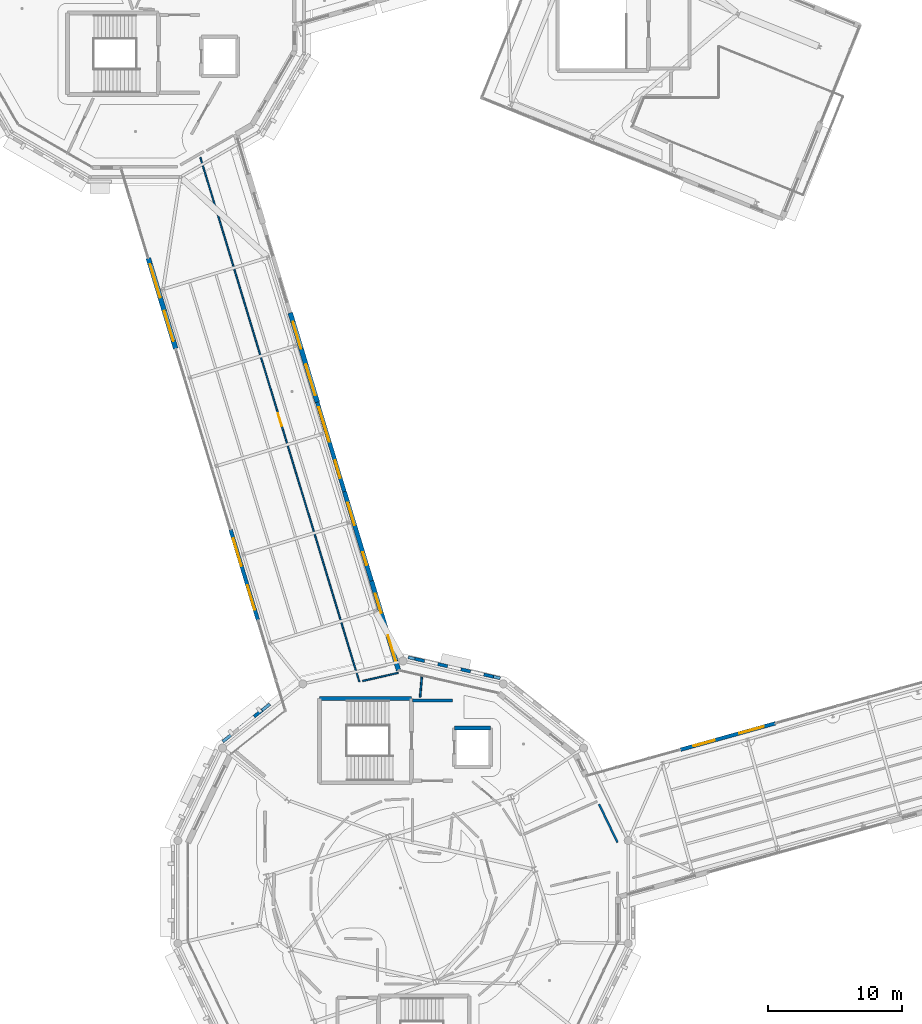
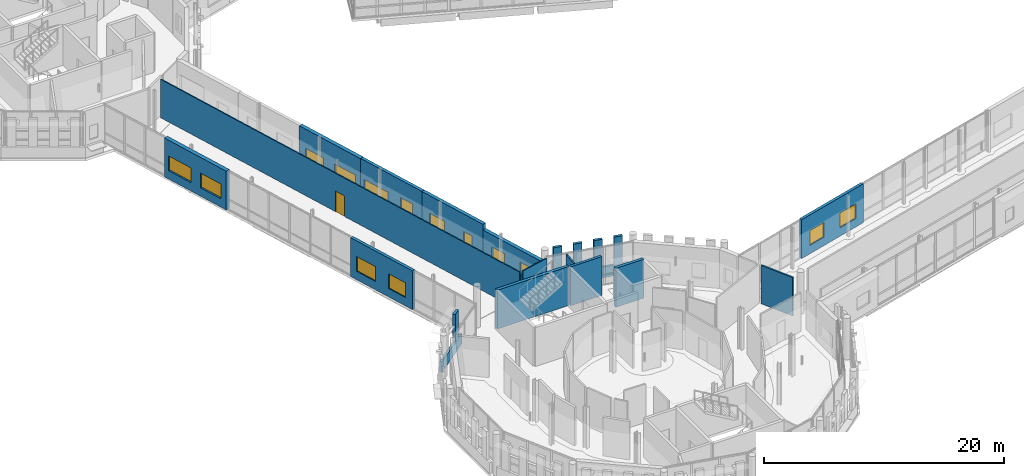
# One storey, part 89 of 125: 21 walls, 14 windows, 1 door, 15 openings.
"""IFC4 building model written with IfcOpenShell, lengths in metres."""

import ifcopenshell
import ifcopenshell.guid

model = None  # the IFC model being written
_history = None  # IfcOwnerHistory: only IFC2X3 demands one
_inside = {}  # id of a spatial element -> (the spatial element, [elements in it])
_under = {}  # id of a project, library or spatial element -> (it, [spatial elements below it])
_declared = {}  # id of a project -> (the project, [libraries it declares])
_typed = {}  # id of a type object -> (the type object, [elements of that type])
_made_of = {}  # id of a material, layer set ... -> (it, [elements and type objects made of it])


def new_model(schema):
    """Start an empty IFC model of exactly this schema.

    Asked for "IFC4X3", IfcOpenShell would pick the latest addendum, in which some entities
    have other attributes; the version numbers below select the first issue.
    IFC2X3 requires an IfcOwnerHistory on every rooted entity: one is made here for all.
    """
    global model, _history
    if schema == "IFC4X3":
        model = ifcopenshell.file(schema_version=(4, 3, 0, 0))
    else:
        model = ifcopenshell.file(schema=schema)
    _inside.clear()
    _under.clear()
    _declared.clear()
    _typed.clear()
    _made_of.clear()
    _history = None
    if model.schema == "IFC2X3":
        org = make("IfcOrganization", Name="unknown")
        user = make(
            "IfcPersonAndOrganization",
            ThePerson=make("IfcPerson", FamilyName="unknown"),
            TheOrganization=org,
        )
        app = make(
            "IfcApplication",
            ApplicationDeveloper=org,
            Version="unknown",
            ApplicationFullName="unknown",
            ApplicationIdentifier="unknown",
        )
        _history = make(
            "IfcOwnerHistory",
            OwningUser=user,
            OwningApplication=app,
            ChangeAction="ADDED",
            CreationDate=0,
        )
    return model


def make(cls, **values):
    """One entity of the class cls with the attributes given. An attribute that is None is left unset."""
    return model.create_entity(
        cls, **{name: value for name, value in values.items() if value is not None}
    )


def rooted(cls, **values):
    """An entity with a GlobalId (a new one), such as an element, a storey or a relation."""
    return make(cls, GlobalId=ifcopenshell.guid.new(), OwnerHistory=_history, **values)


def si_unit(unit_type, name, prefix=None):
    """IfcSIUnit, for example si_unit("LENGTHUNIT", "METRE", prefix="MILLI")."""
    return make("IfcSIUnit", UnitType=unit_type, Prefix=prefix, Name=name)


def assignment(units):
    """IfcUnitAssignment: the units of a project."""
    return None if units is None else make("IfcUnitAssignment", Units=units)


def point(xyz):
    """IfcCartesianPoint."""
    return None if xyz is None else make("IfcCartesianPoint", Coordinates=xyz)


def direction(xyz):
    """IfcDirection."""
    return None if xyz is None else make("IfcDirection", DirectionRatios=xyz)


def frame(location, z_axis=None, x_axis=None):
    """IfcAxis2Placement3D, a coordinate frame: its origin and axes. An axis left out is left unset."""
    return make(
        "IfcAxis2Placement3D",
        Location=point(location),
        Axis=direction(z_axis),
        RefDirection=direction(x_axis),
    )


def frame_2d(location, x_axis=None):
    """IfcAxis2Placement2D, a coordinate frame in the plane: its origin and x axis."""
    return make(
        "IfcAxis2Placement2D", Location=point(location), RefDirection=direction(x_axis)
    )


def origin():
    """The frame at (0, 0, 0) with its axes left unset."""
    return frame((0.0, 0.0, 0.0))


def place(relative_to, where):
    """IfcLocalPlacement: puts the frame where relative to a parent placement (None: the world)."""
    return make(
        "IfcLocalPlacement", PlacementRelTo=relative_to, RelativePlacement=where
    )


def context(
    kind, dimensions, precision=None, world=None, true_north=None, identifier=None
):
    """IfcGeometricRepresentationContext, for example the 3D "Model" context."""
    return make(
        "IfcGeometricRepresentationContext",
        ContextIdentifier=identifier,
        ContextType=kind,
        CoordinateSpaceDimension=dimensions,
        Precision=precision,
        WorldCoordinateSystem=world,
        TrueNorth=true_north,
    )


def subcontext(parent, identifier, kind, view, scale=None):
    """IfcGeometricRepresentationSubContext, for example "Body" below "Model"."""
    return make(
        "IfcGeometricRepresentationSubContext",
        ContextIdentifier=identifier,
        ContextType=kind,
        ParentContext=parent,
        TargetScale=scale,
        TargetView=view,
    )


def project(units=None, contexts=None):
    """IfcProject with its units and contexts."""
    return rooted(
        "IfcProject",
        Name="project",
        RepresentationContexts=contexts,
        UnitsInContext=assignment(units),
    )


def spatial(cls, under=None, at=None, **own):
    """A site, building, storey or space (cls), placed at a placement, below another one or the project."""
    s = rooted(cls, ObjectPlacement=at, **own)
    if under is not None:
        _under.setdefault(under.id(), (under, []))[1].append(s)
    return s


def profile(cls, at=None, kind="AREA", **sizes):
    """A parametric profile (cls). Its sizes go by their IFC names, for example OverallWidth=200.0."""
    return make(cls, ProfileType=kind, Position=at, **sizes)


def rectangle(**sizes):
    """IfcRectangleProfileDef."""
    return profile("IfcRectangleProfileDef", **sizes)


def extrude(swept, where, along, depth):
    """IfcExtrudedAreaSolid: the profile swept, set in the frame where, extruded along a direction by depth."""
    return make(
        "IfcExtrudedAreaSolid",
        SweptArea=swept,
        Position=where,
        ExtrudedDirection=direction(along),
        Depth=depth,
    )


def shape(context_of_items, identifier, shape_type, items):
    """IfcShapeRepresentation: the items that make up one representation, for example the "Body"."""
    return make(
        "IfcShapeRepresentation",
        ContextOfItems=context_of_items,
        RepresentationIdentifier=identifier,
        RepresentationType=shape_type,
        Items=items,
    )


def material(Name=None, Category=None):
    """IfcMaterial."""
    return make("IfcMaterial", Name=Name, Category=Category)


def layer(
    of_material, thickness, ventilated=None, Name=None, Category=None, Priority=None
):
    """IfcMaterialLayer: one layer of a wall or slab, of a material (None: an air gap)."""
    return make(
        "IfcMaterialLayer",
        Material=of_material,
        LayerThickness=thickness,
        IsVentilated=ventilated,
        Name=Name,
        Category=Category,
        Priority=Priority,
    )


def layer_set(layers, Name=None):
    """IfcMaterialLayerSet."""
    return make("IfcMaterialLayerSet", MaterialLayers=layers, LayerSetName=Name)


def made_of(thing, what):
    """Note that an element or type object is made of a material, layer set ...; save() writes the relation."""
    if what is not None:
        _made_of.setdefault(what.id(), (what, []))[1].append(thing)
    return thing


def type_object(cls, material=None, **own):
    """A type object (cls), such as IfcWallType, which elements share."""
    return made_of(rooted(cls, **own), material)


def element(
    cls,
    number,
    at=None,
    inside=None,
    cuts=None,
    type_object=None,
    material=None,
    context=None,
    identifier="Body",
    shape_type=None,
    held_by="IfcProductDefinitionShape",
    body=None,
    shapes=None,
    **own,
):
    """One element of the class cls, such as IfcWall. Its Tag is "e" and its number.

    at: its placement. inside: the storey or other place that contains it. cuts: it is an
    opening in that element (IfcRelVoidsElement). A single representation is given by context,
    identifier, shape_type and body (its items); several are given by shapes. held_by: the class
    of the entity that holds the representations. save() writes the other relations.
    """
    e = rooted(cls, Tag="e%d" % number, ObjectPlacement=at, **own)
    if body is not None:
        shapes = [shape(context, identifier, shape_type, body)]
    if shapes is not None:
        e.Representation = make(held_by, Representations=shapes)
    if inside is not None:
        _inside.setdefault(inside.id(), (inside, []))[1].append(e)
    if cuts is not None:
        rooted(
            "IfcRelVoidsElement", RelatingBuildingElement=cuts, RelatedOpeningElement=e
        )
    if type_object is not None:
        _typed.setdefault(type_object.id(), (type_object, []))[1].append(e)
    return made_of(e, material)


def fill(opening, filler):
    """IfcRelFillsElement: the door or window that sits in an opening."""
    return rooted(
        "IfcRelFillsElement",
        RelatingOpeningElement=opening,
        RelatedBuildingElement=filler,
    )


def aggregate(whole, parts):
    """IfcRelAggregates: a whole, such as a stair, and the parts it consists of."""
    return rooted("IfcRelAggregates", RelatingObject=whole, RelatedObjects=parts)


def save(model, path):
    """Write the relations noted so far, then the file.

    IfcRelAggregates (storeys below a building ...), IfcRelContainedInSpatialStructure (elements
    in a storey), IfcRelDefinesByType, IfcRelAssociatesMaterial and IfcRelDeclares: one each for
    every whole, place, type object, material and project.
    """
    for whole, parts in _under.values():
        aggregate(whole, parts)
    for where, things in _inside.values():
        rooted(
            "IfcRelContainedInSpatialStructure",
            RelatedElements=things,
            RelatingStructure=where,
        )
    for kind, things in _typed.values():
        rooted("IfcRelDefinesByType", RelatedObjects=things, RelatingType=kind)
    for what, things in _made_of.values():
        rooted("IfcRelAssociatesMaterial", RelatedObjects=things, RelatingMaterial=what)
    for by, libraries in _declared.values():
        rooted("IfcRelDeclares", RelatingContext=by, RelatedDefinitions=libraries)
    model.write(path)


model = new_model("IFC4")

# Units and contexts
model_context = context("Model", 3, precision=1e-05, world=origin(), true_north=direction((0.0, 1.0)))
body_context = subcontext(model_context, "Body", "Model", "MODEL_VIEW")
ifc_project = project(units=[si_unit("LENGTHUNIT", "METRE"), si_unit("AREAUNIT", "SQUARE_METRE"), si_unit("VOLUMEUNIT", "CUBIC_METRE"), si_unit("PLANEANGLEUNIT", "RADIAN"), si_unit("MASSUNIT", "GRAM", prefix="KILO")], contexts=[model_context])

# Site, building, storey
site_placement = place(None, origin())
site = spatial("IfcSite", under=ifc_project, at=site_placement, CompositionType="ELEMENT")
building_placement = place(site_placement, origin())
building = spatial("IfcBuilding", under=site, at=building_placement, Name="Wrenclough Park School", CompositionType="ELEMENT")
storey_placement = place(building_placement, frame((0.0, 0.0, 4.199951171875)))
storey = spatial("IfcBuildingStorey", under=building, at=storey_placement, Name="L01", CompositionType="ELEMENT", Elevation=4.199951171875)

# Walls
ifc_material_1 = material(Name="Perforated open-bond Staffordshire and Manchester brick screen pier", Category="masonry")
ifc_layer_1 = layer(ifc_material_1, 0.2451171875)
ifc_layer_set_1 = layer_set([ifc_layer_1], Name="Perforated open-bond Staffordshire and Manchester brick screen pier")
wall_type_1 = type_object("IfcWallType", Name="ENV-BS-PR245", PredefinedType="ELEMENTEDWALL", material=ifc_layer_set_1)
wall_1_placement = place(storey_placement, frame((43.258056640625, 39.572998046875, 1.090087890625), z_axis=(0.0, 0.0, 1.0), x_axis=(-0.974960788757, 0.222376843189, 0.0)))
element("IfcWall", 1, at=wall_1_placement, inside=storey, type_object=wall_type_1, Name="D2 L01 perforated brick screen pier 0237", PredefinedType="ELEMENTEDWALL", context=body_context, shape_type="SweptSolid", body=[
    extrude(rectangle(XDim=0.739990234375, YDim=0.2451171875, at=frame_2d((0.3701171875, 0.0))), origin(), (0.0, 0.0, 1.0), 2.849853515625),
])
wall_2_placement = place(storey_placement, frame((41.540771484375, 39.96484375, 1.090087890625), z_axis=(0.0, 0.0, 1.0), x_axis=(-0.974977096703, 0.222305332604, 0.0)))
element("IfcWall", 2, at=wall_2_placement, inside=storey, type_object=wall_type_1, Name="D2 L01 perforated brick screen pier 0238", PredefinedType="ELEMENTEDWALL", context=body_context, shape_type="SweptSolid", body=[
    extrude(rectangle(XDim=0.740234375, YDim=0.2451171875, at=frame_2d((0.3701171875, 0.0))), origin(), (0.0, 0.0, 1.0), 2.849853515625),
])
wall_3_placement = place(storey_placement, frame((39.8232421875, 40.35693359375, 1.090087890625), z_axis=(0.0, 0.0, 1.0), x_axis=(-0.974960788757, 0.222376843189, 0.0)))
element("IfcWall", 3, at=wall_3_placement, inside=storey, type_object=wall_type_1, Name="D2 L01 perforated brick screen pier 0239", PredefinedType="ELEMENTEDWALL", context=body_context, shape_type="SweptSolid", body=[
    extrude(rectangle(XDim=0.739990234375, YDim=0.2451171875, at=frame_2d((0.3701171875, 0.0))), origin(), (0.0, 0.0, 1.0), 2.849853515625),
])
wall_4_placement = place(storey_placement, frame((38.105712890625, 40.748779296875, 1.090087890625), z_axis=(0.0, 0.0, 1.0), x_axis=(-0.974872842026, 0.2227620746, 0.0)))
element("IfcWall", 4, at=wall_4_placement, inside=storey, type_object=wall_type_1, Name="D2 L01 perforated brick screen pier 0240", PredefinedType="ELEMENTEDWALL", context=body_context, shape_type="SweptSolid", body=[
    extrude(rectangle(XDim=0.73974609375, YDim=0.2451171875, at=frame_2d((0.369873046875, 0.0))), origin(), (0.0, 0.0, 1.0), 2.849853515625),
])
wall_5_placement = place(storey_placement, frame((25.970947265625, 37.069580078125, 1.090087890625), z_axis=(0.0, 0.0, 1.0), x_axis=(-0.781839347248, -0.623479939609, 0.0)))
element("IfcWall", 5, at=wall_5_placement, inside=storey, type_object=wall_type_1, Name="D2 L01 perforated brick screen pier 0241", PredefinedType="ELEMENTEDWALL", context=body_context, shape_type="SweptSolid", body=[
    extrude(rectangle(XDim=0.760009765625, YDim=0.2451171875, at=frame_2d((0.3798828125, 0.0))), origin(), (0.0, 0.0, 1.0), 2.849853515625),
])
ifc_material_2 = material(Name="Open-bond Manchester multi-stock brick spandrel screen", Category="masonry")
ifc_layer_2 = layer(ifc_material_2, 0.22509765625)
ifc_layer_set_2 = layer_set([ifc_layer_2], Name="Open-bond Manchester multi-stock brick spandrel screen")
wall_type_2 = type_object("IfcWallType", Name="ENV-BS-SP225", PredefinedType="ELEMENTEDWALL", material=ifc_layer_set_2)
wall_6_placement = place(storey_placement, frame((43.756103515625, 39.459228515625, 0.0), z_axis=(0.0, 0.0, 1.0), x_axis=(-0.974930278984, 0.222510564064, 0.0)))
element("IfcWall", 6, at=wall_6_placement, inside=storey, type_object=wall_type_2, Name="D2 L01 open-bond brick screen spandrel 0064", PredefinedType="ELEMENTEDWALL", context=body_context, shape_type="SweptSolid", body=[
    extrude(rectangle(XDim=7.04638671875, YDim=0.22509765625, at=frame_2d((3.523193359375, 0.0))), origin(), (0.0, 0.0, 1.0), 1.090087890625),
])
wall_7_placement = place(storey_placement, frame((26.552734375, 37.533447265625, 0.0), z_axis=(0.0, 0.0, 1.0), x_axis=(-0.78184780695, -0.623469331056, 0.0)))
element("IfcWall", 7, at=wall_7_placement, inside=storey, type_object=wall_type_2, Name="D2 L01 open-bond brick screen spandrel 0065", PredefinedType="ELEMENTEDWALL", context=body_context, shape_type="SweptSolid", body=[
    extrude(rectangle(XDim=4.49658203125, YDim=0.22509765625, at=frame_2d((2.248291015625, 0.0))), origin(), (0.0, 0.0, 1.0), 1.090087890625),
])

# Wall, openings, windows
ifc_material_3 = material(Name="Link wing brick-faced cavity wall Concrete C32/40", Category="masonry")
ifc_layer_3 = layer(ifc_material_3, 0.27490234375)
ifc_layer_set_3 = layer_set([ifc_layer_3], Name="Link wing brick-faced cavity wall Concrete C32/40")
wall_type_3 = type_object("IfcWallType", Name="ENV-EW-275", PredefinedType="SOLIDWALL", material=ifc_layer_set_3)
wall_8_placement = place(storey_placement, frame((25.66748046875, 43.7998046875, 0.0), z_axis=(0.0, 0.0, 1.0), x_axis=(-0.290036178649, 0.957015681729, 0.0)))
wall_8 = element("IfcWall", 8, at=wall_8_placement, inside=storey, type_object=wall_type_3, Name="L01 insulated brick external wall 0078", PredefinedType="SOLIDWALL", context=body_context, shape_type="SweptSolid", body=[
    extrude(rectangle(XDim=7.062255859375, YDim=0.27490234375, at=frame_2d((3.53125, 0.0))), origin(), (0.0, 0.0, 1.0), 3.93994140625),
])
opening_1_placement = place(wall_8_placement, frame((0.815673828125, 0.0, 0.85009765625)))
opening_1 = element("IfcOpeningElement", 9, at=opening_1_placement, cuts=wall_8, Name="Opening WN-53", PredefinedType="OPENING", context=body_context, shape_type="SweptSolid", body=[
    extrude(rectangle(XDim=1.89990234375, YDim=1.5, at=frame_2d((0.949951171875, 0.75))), frame((0.0, 0.1474609375, 0.0), z_axis=(0.0, -1.0, 0.0), x_axis=(1.0, 0.0, 0.0)), (0.0, 0.0, 1.0), 0.294921875),
])
opening_2_placement = place(wall_8_placement, frame((4.2216796875, 0.0, 0.85009765625)))
opening_2 = element("IfcOpeningElement", 10, at=opening_2_placement, cuts=wall_8, Name="Opening WN-54", PredefinedType="OPENING", context=body_context, shape_type="SweptSolid", body=[
    extrude(rectangle(XDim=2.14990234375, YDim=1.5, at=frame_2d((1.074951171875, 0.75))), frame((0.0, 0.1474609375, 0.0), z_axis=(0.0, -1.0, 0.0), x_axis=(1.0, 0.0, 0.0)), (0.0, 0.0, 1.0), 0.294921875),
])
ifc_material_4 = material(Name="Thermally broken aluminium and double-glazed low-e glass", Category="aluminium")
window_type_1 = type_object("IfcWindowType", Name="ENV-WN-53", PartitioningType="DOUBLE_PANEL_VERTICAL", PredefinedType="WINDOW", material=ifc_material_4)
window_1_placement = place(opening_1_placement, origin())
window_1 = element("IfcWindow", 11, at=window_1_placement, inside=storey, type_object=window_type_1, Name="L01 scheduled facade window 0108", OverallHeight=1.5, OverallWidth=1.89990234375, PartitioningType="SINGLE_PANEL", PredefinedType="WINDOW", context=body_context, shape_type="SweptSolid", body=[
    extrude(rectangle(XDim=1.89990234375, YDim=1.5, at=frame_2d((0.949951171875, 0.75))), frame((0.0, 0.030029296875, 0.0), z_axis=(0.0, -1.0, 0.0), x_axis=(1.0, 0.0, 0.0)), (0.0, 0.0, 1.0), 0.06005859375),
])
fill(opening_1, window_1)
window_type_2 = type_object("IfcWindowType", Name="ENV-WN-54", PartitioningType="DOUBLE_PANEL_VERTICAL", PredefinedType="WINDOW", material=ifc_material_4)
window_2_placement = place(opening_2_placement, origin())
window_2 = element("IfcWindow", 12, at=window_2_placement, inside=storey, type_object=window_type_2, Name="L01 scheduled facade window 0109", OverallHeight=1.5, OverallWidth=2.14990234375, PartitioningType="SINGLE_PANEL", PredefinedType="WINDOW", context=body_context, shape_type="SweptSolid", body=[
    extrude(rectangle(XDim=2.14990234375, YDim=1.5, at=frame_2d((1.074951171875, 0.75))), frame((0.0, 0.030029296875, 0.0), z_axis=(0.0, -1.0, 0.0), x_axis=(1.0, 0.0, 0.0)), (0.0, 0.0, 1.0), 0.06005859375),
])
fill(opening_2, window_2)

wall_9_placement = place(storey_placement, frame((57.228515625, 34.125732421875, 0.0), z_axis=(0.0, 0.0, 1.0), x_axis=(0.963398166704, 0.268074564985, 0.0)))
wall_9 = element("IfcWall", 13, at=wall_9_placement, inside=storey, type_object=wall_type_3, Name="L01 insulated brick external wall 0110", PredefinedType="SOLIDWALL", context=body_context, shape_type="SweptSolid", body=[
    extrude(rectangle(XDim=7.337646484375, YDim=0.27490234375, at=frame_2d((3.6689453125, 0.0))), origin(), (0.0, 0.0, 1.0), 3.93994140625),
])
opening_3_placement = place(wall_9_placement, frame((1.009521484375, 0.0, 0.85009765625)))
opening_3 = element("IfcOpeningElement", 14, at=opening_3_placement, cuts=wall_9, Name="Opening WN-52", PredefinedType="OPENING", context=body_context, shape_type="SweptSolid", body=[
    extrude(rectangle(XDim=1.64990234375, YDim=1.5, at=frame_2d((0.824951171875, 0.75))), frame((0.0, 0.1474609375, 0.0), z_axis=(0.0, -1.0, 0.0), x_axis=(1.0, 0.0, 0.0)), (0.0, 0.0, 1.0), 0.294921875),
])
opening_4_placement = place(wall_9_placement, frame((4.55322265625, 0.0, 0.85009765625)))
opening_4 = element("IfcOpeningElement", 15, at=opening_4_placement, cuts=wall_9, Name="Opening WN-53", PredefinedType="OPENING", context=body_context, shape_type="SweptSolid", body=[
    extrude(rectangle(XDim=1.89990234375, YDim=1.5, at=frame_2d((0.949951171875, 0.75))), frame((0.0, 0.1474609375, 0.0), z_axis=(0.0, -1.0, 0.0), x_axis=(1.0, 0.0, 0.0)), (0.0, 0.0, 1.0), 0.294921875),
])
window_type_3 = type_object("IfcWindowType", Name="ENV-WN-52", PartitioningType="DOUBLE_PANEL_VERTICAL", PredefinedType="WINDOW", material=ifc_material_4)
window_3_placement = place(opening_3_placement, origin())
window_3 = element("IfcWindow", 16, at=window_3_placement, inside=storey, type_object=window_type_3, Name="L01 scheduled facade window 0163", OverallHeight=1.5, OverallWidth=1.64990234375, PartitioningType="SINGLE_PANEL", PredefinedType="WINDOW", context=body_context, shape_type="SweptSolid", body=[
    extrude(rectangle(XDim=1.64990234375, YDim=1.5, at=frame_2d((0.824951171875, 0.75))), frame((0.0, 0.030029296875, 0.0), z_axis=(0.0, -1.0, 0.0), x_axis=(1.0, 0.0, 0.0)), (0.0, 0.0, 1.0), 0.06005859375),
])
fill(opening_3, window_3)
window_4_placement = place(opening_4_placement, origin())
window_4 = element("IfcWindow", 17, at=window_4_placement, inside=storey, type_object=window_type_1, Name="L01 scheduled facade window 0164", OverallHeight=1.5, OverallWidth=1.89990234375, PartitioningType="SINGLE_PANEL", PredefinedType="WINDOW", context=body_context, shape_type="SweptSolid", body=[
    extrude(rectangle(XDim=1.89990234375, YDim=1.5, at=frame_2d((0.949951171875, 0.75))), frame((0.0, 0.030029296875, 0.0), z_axis=(0.0, -1.0, 0.0), x_axis=(1.0, 0.0, 0.0)), (0.0, 0.0, 1.0), 0.06005859375),
])
fill(opening_4, window_4)

ifc_material_5 = material(Name="Manchester multi-stock brick and Concrete C32/40 inner leaf", Category="masonry")
ifc_layer_4 = layer(ifc_material_5, 0.300048828125)
ifc_layer_set_4 = layer_set([ifc_layer_4], Name="Manchester multi-stock brick and Concrete C32/40 inner leaf")
wall_type_4 = type_object("IfcWallType", Name="ENV-EW-300", PredefinedType="SOLIDWALL", material=ifc_layer_set_4)
wall_10_placement = place(storey_placement, frame((30.097412109375, 60.076416015625, 0.0), z_axis=(0.0, 0.0, 1.0), x_axis=(0.289999622439, -0.957026759806, 0.0)))
wall_10 = element("IfcWall", 18, at=wall_10_placement, inside=storey, type_object=wall_type_4, Name="L01 insulated brick external wall 0136", PredefinedType="SOLIDWALL", context=body_context, shape_type="SweptSolid", body=[
    extrude(rectangle(XDim=6.97412109375, YDim=0.300048828125, at=frame_2d((3.487060546875, 0.0))), origin(), (0.0, 0.0, 1.0), 3.93994140625),
])
opening_5_placement = place(wall_10_placement, frame((0.3935546875, 0.0, 0.85009765625)))
opening_5 = element("IfcOpeningElement", 19, at=opening_5_placement, cuts=wall_10, Name="Opening WN-42", PredefinedType="OPENING", context=body_context, shape_type="SweptSolid", body=[
    extrude(rectangle(XDim=2.699951171875, YDim=1.14990234375, at=frame_2d((1.35009765625, 0.574951171875))), frame((0.0, 0.159912109375, 0.0), z_axis=(0.0, -1.0, 0.0), x_axis=(1.0, 0.0, 0.0)), (0.0, 0.0, 1.0), 0.320068359375),
])
opening_6_placement = place(wall_10_placement, frame((4.555419921875, 0.0, 0.85009765625)))
opening_6 = element("IfcOpeningElement", 20, at=opening_6_placement, cuts=wall_10, Name="Opening WN-43", PredefinedType="OPENING", context=body_context, shape_type="SweptSolid", body=[
    extrude(rectangle(XDim=1.35009765625, YDim=1.300048828125, at=frame_2d((0.675048828125, 0.64990234375))), frame((0.0, 0.159912109375, 0.0), z_axis=(0.0, -1.0, 0.0), x_axis=(1.0, 0.0, 0.0)), (0.0, 0.0, 1.0), 0.320068359375),
])
window_type_4 = type_object("IfcWindowType", Name="ENV-WN-42", PartitioningType="DOUBLE_PANEL_VERTICAL", PredefinedType="WINDOW", material=ifc_material_4)
window_5_placement = place(opening_5_placement, origin())
window_5 = element("IfcWindow", 21, at=window_5_placement, inside=storey, type_object=window_type_4, Name="L01 scheduled facade window 0209", OverallHeight=1.14990234375, OverallWidth=2.699951171875, PartitioningType="SINGLE_PANEL", PredefinedType="WINDOW", context=body_context, shape_type="SweptSolid", body=[
    extrude(rectangle(XDim=2.699951171875, YDim=1.14990234375, at=frame_2d((1.35009765625, 0.574951171875))), frame((0.0, 0.030029296875, 0.0), z_axis=(0.0, -1.0, 0.0), x_axis=(1.0, 0.0, 0.0)), (0.0, 0.0, 1.0), 0.06005859375),
])
fill(opening_5, window_5)
window_type_5 = type_object("IfcWindowType", Name="ENV-WN-43", PartitioningType="SINGLE_PANEL", PredefinedType="WINDOW", material=ifc_material_4)
window_6_placement = place(opening_6_placement, origin())
window_6 = element("IfcWindow", 22, at=window_6_placement, inside=storey, type_object=window_type_5, Name="L01 scheduled facade window 0210", OverallHeight=1.300048828125, OverallWidth=1.35009765625, PartitioningType="SINGLE_PANEL", PredefinedType="WINDOW", context=body_context, shape_type="SweptSolid", body=[
    extrude(rectangle(XDim=1.35009765625, YDim=1.300048828125, at=frame_2d((0.675048828125, 0.64990234375))), frame((0.0, 0.030029296875, 0.0), z_axis=(0.0, -1.0, 0.0), x_axis=(1.0, 0.0, 0.0)), (0.0, 0.0, 1.0), 0.06005859375),
])
fill(opening_6, window_6)

ifc_layer_5 = layer(ifc_material_5, 0.324951171875)
ifc_layer_set_5 = layer_set([ifc_layer_5], Name="Manchester multi-stock brick and Concrete C32/40 inner leaf")
wall_type_5 = type_object("IfcWallType", Name="ENV-EW-325", PredefinedType="SOLIDWALL", material=ifc_layer_set_5)
wall_11_placement = place(storey_placement, frame((32.119873046875, 53.402099609375, 0.0), z_axis=(0.0, 0.0, 1.0), x_axis=(0.29003168505, -0.957017043561, 0.0)))
wall_11 = element("IfcWall", 23, at=wall_11_placement, inside=storey, type_object=wall_type_5, Name="L01 insulated brick external wall 0137", PredefinedType="SOLIDWALL", context=body_context, shape_type="SweptSolid", body=[
    extrude(rectangle(XDim=6.97412109375, YDim=0.324951171875, at=frame_2d((3.487060546875, 0.0))), origin(), (0.0, 0.0, 1.0), 3.93994140625),
])
opening_7_placement = place(wall_11_placement, frame((0.868408203125, 0.0, 0.85009765625)))
opening_7 = element("IfcOpeningElement", 24, at=opening_7_placement, cuts=wall_11, Name="Opening WN-44", PredefinedType="OPENING", context=body_context, shape_type="SweptSolid", body=[
    extrude(rectangle(XDim=1.75, YDim=1.300048828125, at=frame_2d((0.875, 0.64990234375))), frame((0.0, 0.17236328125, 0.0), z_axis=(0.0, -1.0, 0.0), x_axis=(1.0, 0.0, 0.0)), (0.0, 0.0, 1.0), 0.344970703125),
])
opening_8_placement = place(wall_11_placement, frame((4.730712890625, 0.0, 0.85009765625)))
opening_8 = element("IfcOpeningElement", 25, at=opening_8_placement, cuts=wall_11, Name="Opening WN-45", PredefinedType="OPENING", context=body_context, shape_type="SweptSolid", body=[
    extrude(rectangle(XDim=1.0, YDim=1.300048828125, at=frame_2d((0.5, 0.64990234375))), frame((0.0, 0.17236328125, 0.0), z_axis=(0.0, -1.0, 0.0), x_axis=(1.0, 0.0, 0.0)), (0.0, 0.0, 1.0), 0.344970703125),
])
window_type_6 = type_object("IfcWindowType", Name="ENV-WN-44", PartitioningType="DOUBLE_PANEL_VERTICAL", PredefinedType="WINDOW", material=ifc_material_4)
window_7_placement = place(opening_7_placement, origin())
window_7 = element("IfcWindow", 26, at=window_7_placement, inside=storey, type_object=window_type_6, Name="L01 scheduled facade window 0211", OverallHeight=1.300048828125, OverallWidth=1.75, PartitioningType="SINGLE_PANEL", PredefinedType="WINDOW", context=body_context, shape_type="SweptSolid", body=[
    extrude(rectangle(XDim=1.75, YDim=1.300048828125, at=frame_2d((0.875, 0.64990234375))), frame((0.0, 0.030029296875, 0.0), z_axis=(0.0, -1.0, 0.0), x_axis=(1.0, 0.0, 0.0)), (0.0, 0.0, 1.0), 0.06005859375),
])
fill(opening_7, window_7)
window_type_7 = type_object("IfcWindowType", Name="ENV-WN-45", PartitioningType="SINGLE_PANEL", PredefinedType="WINDOW", material=ifc_material_4)
window_8_placement = place(opening_8_placement, origin())
window_8 = element("IfcWindow", 27, at=window_8_placement, inside=storey, type_object=window_type_7, Name="L01 scheduled facade window 0212", OverallHeight=1.300048828125, OverallWidth=1.0, PartitioningType="SINGLE_PANEL", PredefinedType="WINDOW", context=body_context, shape_type="SweptSolid", body=[
    extrude(rectangle(XDim=1.0, YDim=1.300048828125, at=frame_2d((0.5, 0.64990234375))), frame((0.0, 0.030029296875, 0.0), z_axis=(0.0, -1.0, 0.0), x_axis=(1.0, 0.0, 0.0)), (0.0, 0.0, 1.0), 0.06005859375),
])
fill(opening_8, window_8)

ifc_material_6 = material(Name="Staffordshire blue-grey brick and Concrete C35/45 inner leaf", Category="masonry")
ifc_layer_6 = layer(ifc_material_6, 0.35009765625)
ifc_layer_set_6 = layer_set([ifc_layer_6], Name="Staffordshire blue-grey brick and Concrete C35/45 inner leaf")
wall_type_6 = type_object("IfcWallType", Name="ENV-EW-350", PredefinedType="SOLIDWALL", material=ifc_layer_set_6)
wall_12_placement = place(storey_placement, frame((34.142578125, 46.727783203125, 0.0), z_axis=(0.0, 0.0, 1.0), x_axis=(0.289999622439, -0.957026759806, 0.0)))
wall_12 = element("IfcWall", 28, at=wall_12_placement, inside=storey, type_object=wall_type_6, Name="L01 insulated brick external wall 0138", PredefinedType="SOLIDWALL", context=body_context, shape_type="SweptSolid", body=[
    extrude(rectangle(XDim=6.97412109375, YDim=0.35009765625, at=frame_2d((3.487060546875, 0.0))), origin(), (0.0, 0.0, 1.0), 3.368896484375),
])
opening_9_placement = place(wall_12_placement, frame((0.993408203125, 0.0, 0.85009765625)))
opening_9 = element("IfcOpeningElement", 29, at=opening_9_placement, cuts=wall_12, Name="Opening WN-46", PredefinedType="OPENING", context=body_context, shape_type="SweptSolid", body=[
    extrude(rectangle(XDim=1.5, YDim=1.300048828125, at=frame_2d((0.75, 0.64990234375))), frame((0.0, 0.18505859375, 0.0), z_axis=(0.0, -1.0, 0.0), x_axis=(1.0, 0.0, 0.0)), (0.0, 0.0, 1.0), 0.3701171875),
])
opening_10_placement = place(wall_12_placement, frame((4.230712890625, 0.0, 0.85009765625)))
opening_10 = element("IfcOpeningElement", 30, at=opening_10_placement, cuts=wall_12, Name="Opening WN-47", PredefinedType="OPENING", context=body_context, shape_type="SweptSolid", body=[
    extrude(rectangle(XDim=2.0, YDim=1.300048828125, at=frame_2d((1.0, 0.64990234375))), frame((0.0, 0.18505859375, 0.0), z_axis=(0.0, -1.0, 0.0), x_axis=(1.0, 0.0, 0.0)), (0.0, 0.0, 1.0), 0.3701171875),
])
window_type_8 = type_object("IfcWindowType", Name="ENV-WN-46", PartitioningType="DOUBLE_PANEL_VERTICAL", PredefinedType="WINDOW", material=ifc_material_4)
window_9_placement = place(opening_9_placement, origin())
window_9 = element("IfcWindow", 31, at=window_9_placement, inside=storey, type_object=window_type_8, Name="L01 scheduled facade window 0213", OverallHeight=1.300048828125, OverallWidth=1.5, PartitioningType="SINGLE_PANEL", PredefinedType="WINDOW", context=body_context, shape_type="SweptSolid", body=[
    extrude(rectangle(XDim=1.5, YDim=1.300048828125, at=frame_2d((0.75, 0.64990234375))), frame((0.0, 0.030029296875, 0.0), z_axis=(0.0, -1.0, 0.0), x_axis=(1.0, 0.0, 0.0)), (0.0, 0.0, 1.0), 0.06005859375),
])
fill(opening_9, window_9)
window_type_9 = type_object("IfcWindowType", Name="ENV-WN-47", PartitioningType="DOUBLE_PANEL_VERTICAL", PredefinedType="WINDOW", material=ifc_material_4)
window_10_placement = place(opening_10_placement, origin())
window_10 = element("IfcWindow", 32, at=window_10_placement, inside=storey, type_object=window_type_9, Name="L01 scheduled facade window 0214", OverallHeight=1.300048828125, OverallWidth=2.0, PartitioningType="SINGLE_PANEL", PredefinedType="WINDOW", context=body_context, shape_type="SweptSolid", body=[
    extrude(rectangle(XDim=2.0, YDim=1.300048828125, at=frame_2d((1.0, 0.64990234375))), frame((0.0, 0.030029296875, 0.0), z_axis=(0.0, -1.0, 0.0), x_axis=(1.0, 0.0, 0.0)), (0.0, 0.0, 1.0), 0.06005859375),
])
fill(opening_10, window_10)

ifc_material_7 = material(Name="Faceted courtyard brick-cavity wall Concrete C35/45", Category="masonry")
ifc_layer_7 = layer(ifc_material_7, 0.364990234375)
ifc_layer_set_7 = layer_set([ifc_layer_7], Name="Faceted courtyard brick-cavity wall Concrete C35/45")
wall_type_7 = type_object("IfcWallType", Name="ENV-EW-365", PredefinedType="SOLIDWALL", material=ifc_layer_set_7)
wall_13_placement = place(storey_placement, frame((19.52294921875, 64.076416015625, 0.0), z_axis=(0.0, 0.0, 1.0), x_axis=(-0.290004516903, 0.957025276665, 0.0)))
wall_13 = element("IfcWall", 33, at=wall_13_placement, inside=storey, type_object=wall_type_7, Name="L01 insulated brick external wall 0079", PredefinedType="SOLIDWALL", context=body_context, shape_type="SweptSolid", body=[
    extrude(rectangle(XDim=7.062255859375, YDim=0.364990234375, at=frame_2d((3.53125, 0.0))), origin(), (0.0, 0.0, 1.0), 3.93994140625),
])
opening_11_placement = place(wall_13_placement, frame((0.590576171875, 0.0, 0.85009765625)))
opening_11 = element("IfcOpeningElement", 34, at=opening_11_placement, cuts=wall_13, Name="Opening WN-55", PredefinedType="OPENING", context=body_context, shape_type="SweptSolid", body=[
    extrude(rectangle(XDim=2.35009765625, YDim=1.5, at=frame_2d((1.175048828125, 0.75))), frame((0.0, 0.1923828125, 0.0), z_axis=(0.0, -1.0, 0.0), x_axis=(1.0, 0.0, 0.0)), (0.0, 0.0, 1.0), 0.385009765625),
])
opening_12_placement = place(wall_13_placement, frame((3.996826171875, 0.0, 0.85009765625)))
opening_12 = element("IfcOpeningElement", 35, at=opening_12_placement, cuts=wall_13, Name="Opening WN-56", PredefinedType="OPENING", context=body_context, shape_type="SweptSolid", body=[
    extrude(rectangle(XDim=2.60009765625, YDim=1.5, at=frame_2d((1.300048828125, 0.75))), frame((0.0, 0.1923828125, 0.0), z_axis=(0.0, -1.0, 0.0), x_axis=(1.0, 0.0, 0.0)), (0.0, 0.0, 1.0), 0.385009765625),
])
window_type_10 = type_object("IfcWindowType", Name="ENV-WN-55", PartitioningType="DOUBLE_PANEL_VERTICAL", PredefinedType="WINDOW", material=ifc_material_4)
window_11_placement = place(opening_11_placement, origin())
window_11 = element("IfcWindow", 36, at=window_11_placement, inside=storey, type_object=window_type_10, Name="L01 scheduled facade window 0110", OverallHeight=1.5, OverallWidth=2.35009765625, PartitioningType="SINGLE_PANEL", PredefinedType="WINDOW", context=body_context, shape_type="SweptSolid", body=[
    extrude(rectangle(XDim=2.35009765625, YDim=1.5, at=frame_2d((1.175048828125, 0.75))), frame((0.0, 0.030029296875, 0.0), z_axis=(0.0, -1.0, 0.0), x_axis=(1.0, 0.0, 0.0)), (0.0, 0.0, 1.0), 0.06005859375),
])
fill(opening_11, window_11)
window_type_11 = type_object("IfcWindowType", Name="ENV-WN-56", PartitioningType="DOUBLE_PANEL_VERTICAL", PredefinedType="WINDOW", material=ifc_material_4)
window_12_placement = place(opening_12_placement, origin())
window_12 = element("IfcWindow", 37, at=window_12_placement, inside=storey, type_object=window_type_11, Name="L01 scheduled facade window 0111", OverallHeight=1.5, OverallWidth=2.60009765625, PartitioningType="SINGLE_PANEL", PredefinedType="WINDOW", context=body_context, shape_type="SweptSolid", body=[
    extrude(rectangle(XDim=2.60009765625, YDim=1.5, at=frame_2d((1.300048828125, 0.75))), frame((0.0, 0.030029296875, 0.0), z_axis=(0.0, -1.0, 0.0), x_axis=(1.0, 0.0, 0.0)), (0.0, 0.0, 1.0), 0.06005859375),
])
fill(opening_12, window_12)

wall_14_placement = place(storey_placement, frame((28.074951171875, 66.7509765625, 0.0), z_axis=(0.0, 0.0, 1.0), x_axis=(0.289989906943, -0.957029703756, 0.0)))
wall_14 = element("IfcWall", 38, at=wall_14_placement, inside=storey, type_object=wall_type_7, Name="L01 insulated brick external wall 0135", PredefinedType="SOLIDWALL", context=body_context, shape_type="SweptSolid", body=[
    extrude(rectangle(XDim=6.974365234375, YDim=0.364990234375, at=frame_2d((3.4873046875, 0.0))), origin(), (0.0, 0.0, 1.0), 3.93994140625),
])
opening_13_placement = place(wall_14_placement, frame((0.693603515625, 0.0, 0.85009765625)))
opening_13 = element("IfcOpeningElement", 39, at=opening_13_placement, cuts=wall_14, Name="Opening WN-40", PredefinedType="OPENING", context=body_context, shape_type="SweptSolid", body=[
    extrude(rectangle(XDim=2.10009765625, YDim=1.14990234375, at=frame_2d((1.050048828125, 0.574951171875))), frame((0.0, 0.1923828125, 0.0), z_axis=(0.0, -1.0, 0.0), x_axis=(1.0, 0.0, 0.0)), (0.0, 0.0, 1.0), 0.385009765625),
])
opening_14_placement = place(wall_14_placement, frame((4.030517578125, 0.0, 0.85009765625)))
opening_14 = element("IfcOpeningElement", 40, at=opening_14_placement, cuts=wall_14, Name="Opening WN-41", PredefinedType="OPENING", context=body_context, shape_type="SweptSolid", body=[
    extrude(rectangle(XDim=2.39990234375, YDim=1.14990234375, at=frame_2d((1.199951171875, 0.574951171875))), frame((0.0, 0.1923828125, 0.0), z_axis=(0.0, -1.0, 0.0), x_axis=(1.0, 0.0, 0.0)), (0.0, 0.0, 1.0), 0.385009765625),
])
window_type_12 = type_object("IfcWindowType", Name="ENV-WN-40", PartitioningType="DOUBLE_PANEL_VERTICAL", PredefinedType="WINDOW", material=ifc_material_4)
window_13_placement = place(opening_13_placement, origin())
window_13 = element("IfcWindow", 41, at=window_13_placement, inside=storey, type_object=window_type_12, Name="L01 scheduled facade window 0207", OverallHeight=1.14990234375, OverallWidth=2.10009765625, PartitioningType="SINGLE_PANEL", PredefinedType="WINDOW", context=body_context, shape_type="SweptSolid", body=[
    extrude(rectangle(XDim=2.10009765625, YDim=1.14990234375, at=frame_2d((1.050048828125, 0.574951171875))), frame((0.0, 0.030029296875, 0.0), z_axis=(0.0, -1.0, 0.0), x_axis=(1.0, 0.0, 0.0)), (0.0, 0.0, 1.0), 0.06005859375),
])
fill(opening_13, window_13)
window_type_13 = type_object("IfcWindowType", Name="ENV-WN-41", PartitioningType="DOUBLE_PANEL_VERTICAL", PredefinedType="WINDOW", material=ifc_material_4)
window_14_placement = place(opening_14_placement, origin())
window_14 = element("IfcWindow", 42, at=window_14_placement, inside=storey, type_object=window_type_13, Name="L01 scheduled facade window 0208", OverallHeight=1.14990234375, OverallWidth=2.39990234375, PartitioningType="SINGLE_PANEL", PredefinedType="WINDOW", context=body_context, shape_type="SweptSolid", body=[
    extrude(rectangle(XDim=2.39990234375, YDim=1.14990234375, at=frame_2d((1.199951171875, 0.574951171875))), frame((0.0, 0.030029296875, 0.0), z_axis=(0.0, -1.0, 0.0), x_axis=(1.0, 0.0, 0.0)), (0.0, 0.0, 1.0), 0.06005859375),
])
fill(opening_14, window_14)

# Walls
ifc_material_8 = material(Name="Concrete C35/45", Category="concrete")
ifc_layer_8 = layer(ifc_material_8, 0.25)
ifc_layer_set_8 = layer_set([ifc_layer_8], Name="Concrete C35/45")
wall_type_8 = type_object("IfcWallType", Name="INT-CW-250", PredefinedType="SHEAR", material=ifc_layer_set_8)
wall_15_placement = place(storey_placement, frame((40.199951171875, 37.800048828125, 0.0), z_axis=(0.0, 0.0, 1.0), x_axis=(-1.0, 0.0, 0.0)))
element("IfcWall", 43, at=wall_15_placement, inside=storey, type_object=wall_type_8, Name="Core C2 L01 lobby fire wall north", PredefinedType="SHEAR", context=body_context, shape_type="SweptSolid", body=[
    extrude(rectangle(XDim=3.0, YDim=0.25, at=frame_2d((1.5, 0.0))), origin(), (0.0, 0.0, 1.0), 3.949951171875),
])
ifc_material_9 = material(Name="Concrete C40/50", Category="concrete")
ifc_layer_9 = layer(ifc_material_9, 0.2900390625)
ifc_layer_set_9 = layer_set([ifc_layer_9], Name="Concrete C40/50")
wall_type_9 = type_object("IfcWallType", Name="INT-CW-290", PredefinedType="SHEAR", material=ifc_layer_set_9)
wall_16_placement = place(storey_placement, frame((37.14501953125, 37.945068359375, 0.0), z_axis=(0.0, 0.0, 1.0), x_axis=(-1.0, 0.0, 0.0)))
element("IfcWall", 44, at=wall_16_placement, inside=storey, type_object=wall_type_9, Name="Core C2 L01 north shear wall", PredefinedType="SHEAR", context=body_context, shape_type="SweptSolid", body=[
    extrude(rectangle(XDim=6.89013671875, YDim=0.2900390625, at=frame_2d((3.445068359375, 0.0))), origin(), (0.0, 0.0, 1.0), 3.949951171875),
])
wall_17_placement = place(storey_placement, frame((43.044921875, 35.7451171875, 0.0), z_axis=(0.0, 0.0, 1.0), x_axis=(-1.0, 0.0, 0.0)))
element("IfcWall", 45, at=wall_17_placement, inside=storey, type_object=wall_type_9, Name="Lift LFT-04 L01 north shaft wall", PredefinedType="SHEAR", context=body_context, shape_type="SweptSolid", body=[
    extrude(rectangle(XDim=2.68994140625, YDim=0.2900390625, at=frame_2d((1.344970703125, 0.0))), origin(), (0.0, 0.0, 1.0), 3.949951171875),
])

# Wall, opening, door
ifc_material_10 = material(Name="Lightweight fire-rated store partition", Category="gypsum")
ifc_layer_10 = layer(ifc_material_10, 0.110107421875)
ifc_layer_set_10 = layer_set([ifc_layer_10], Name="Lightweight fire-rated store partition")
wall_type_10 = type_object("IfcWallType", Name="INT-PW-110", PredefinedType="PARTITIONING", material=ifc_layer_set_10)
wall_18_placement = place(storey_placement, frame((21.364501953125, 78.364501953125, 0.0), z_axis=(0.0, 0.0, 1.0), x_axis=(0.290089355637, -0.95699956413, 0.0)))
wall_18 = element("IfcWall", 46, at=wall_18_placement, inside=storey, type_object=wall_type_10, Name="L01 internal partition 0283", PredefinedType="PARTITIONING", context=body_context, shape_type="SweptSolid", body=[
    extrude(rectangle(XDim=40.923095703125, YDim=0.110107421875, at=frame_2d((20.46142578125, 0.0))), origin(), (0.0, 0.0, 1.0), 3.900146484375),
])
opening_15_placement = place(wall_18_placement, frame((19.961669921875, 0.0, 0.0)))
opening_15 = element("IfcOpeningElement", 47, at=opening_15_placement, cuts=wall_18, Name="Opening DR-L01-053", PredefinedType="OPENING", context=body_context, shape_type="SweptSolid", body=[
    extrude(rectangle(XDim=1.0, YDim=2.10009765625, at=frame_2d((0.5, 1.050048828125))), frame((0.0, 0.06494140625, 0.0), z_axis=(0.0, -1.0, 0.0), x_axis=(1.0, 0.0, 0.0)), (0.0, 0.0, 1.0), 0.130126953125),
])
ifc_material_11 = material(Name="Humanities classroom vision door assembly", Category="wood")
door_type = type_object("IfcDoorType", Name="INT-DR-CL100", OperationType="NOTDEFINED", PredefinedType="DOOR", material=ifc_material_11)
door_placement = place(opening_15_placement, origin())
door = element("IfcDoor", 48, at=door_placement, inside=storey, type_object=door_type, Name="Design Tutorial Studio L01 door DR-L01-053", OperationType="SINGLE_SWING_RIGHT", OverallHeight=2.10009765625, OverallWidth=1.0, PredefinedType="DOOR", context=body_context, shape_type="SweptSolid", body=[
    extrude(rectangle(XDim=1.0, YDim=2.10009765625, at=frame_2d((0.5, 1.050048828125))), frame((0.0, 0.02490234375, 0.0), z_axis=(0.0, -1.0, 0.0), x_axis=(1.0, 0.0, 0.0)), (0.0, 0.0, 1.0), 0.050048828125),
])
fill(opening_15, door)

# Walls
wall_19_placement = place(storey_placement, frame((33.479248046875, 39.256591796875, 0.0), z_axis=(0.0, 0.0, 1.0), x_axis=(0.974917901323, 0.222564789847, 0.0)))
element("IfcWall", 49, at=wall_19_placement, inside=storey, type_object=wall_type_10, Name="L01 internal partition 0284", PredefinedType="PARTITIONING", context=body_context, shape_type="SweptSolid", body=[
    extrude(rectangle(XDim=2.72802734375, YDim=0.110107421875, at=frame_2d((1.364013671875, 0.0))), origin(), (0.0, 0.0, 1.0), 3.900146484375),
])
ifc_material_12 = material(Name="Standard fire-rated room partition", Category="gypsum")
ifc_layer_11 = layer(ifc_material_12, 0.1298828125)
ifc_layer_set_11 = layer_set([ifc_layer_11], Name="Standard fire-rated room partition")
wall_type_11 = type_object("IfcWallType", Name="INT-PW-130", PredefinedType="PARTITIONING", material=ifc_layer_set_11)
wall_20_placement = place(storey_placement, frame((37.904541015625, 39.5537109375, 0.0), z_axis=(0.0, 0.0, 1.0), x_axis=(-0.087153089552, -0.996194930213, 0.0)))
element("IfcWall", 50, at=wall_20_placement, inside=storey, type_object=wall_type_11, Name="L01 internal partition 0220", PredefinedType="PARTITIONING", context=body_context, shape_type="SweptSolid", body=[
    extrude(rectangle(XDim=1.529541015625, YDim=0.1298828125, at=frame_2d((0.7646484375, 0.0))), origin(), (0.0, 0.0, 1.0), 3.900146484375),
])
ifc_material_13 = material(Name="Protected corridor partition", Category="gypsum")
ifc_layer_12 = layer(ifc_material_13, 0.14990234375)
ifc_layer_set_12 = layer_set([ifc_layer_12], Name="Protected corridor partition")
wall_type_12 = type_object("IfcWallType", Name="INT-PW-150", PredefinedType="PARTITIONING", material=ifc_layer_set_12)
wall_21_placement = place(storey_placement, frame((51.138427734375, 30.056884765625, 0.0), z_axis=(0.0, 0.0, 1.0), x_axis=(0.433887398365, -0.900967105693, 0.0)))
element("IfcWall", 51, at=wall_21_placement, inside=storey, type_object=wall_type_12, Name="L01 internal partition 0275", PredefinedType="PARTITIONING", context=body_context, shape_type="SweptSolid", body=[
    extrude(rectangle(XDim=3.170166015625, YDim=0.14990234375, at=frame_2d((1.5849609375, 0.0))), origin(), (0.0, 0.0, 1.0), 3.900146484375),
])

save(model, "model.ifc")
